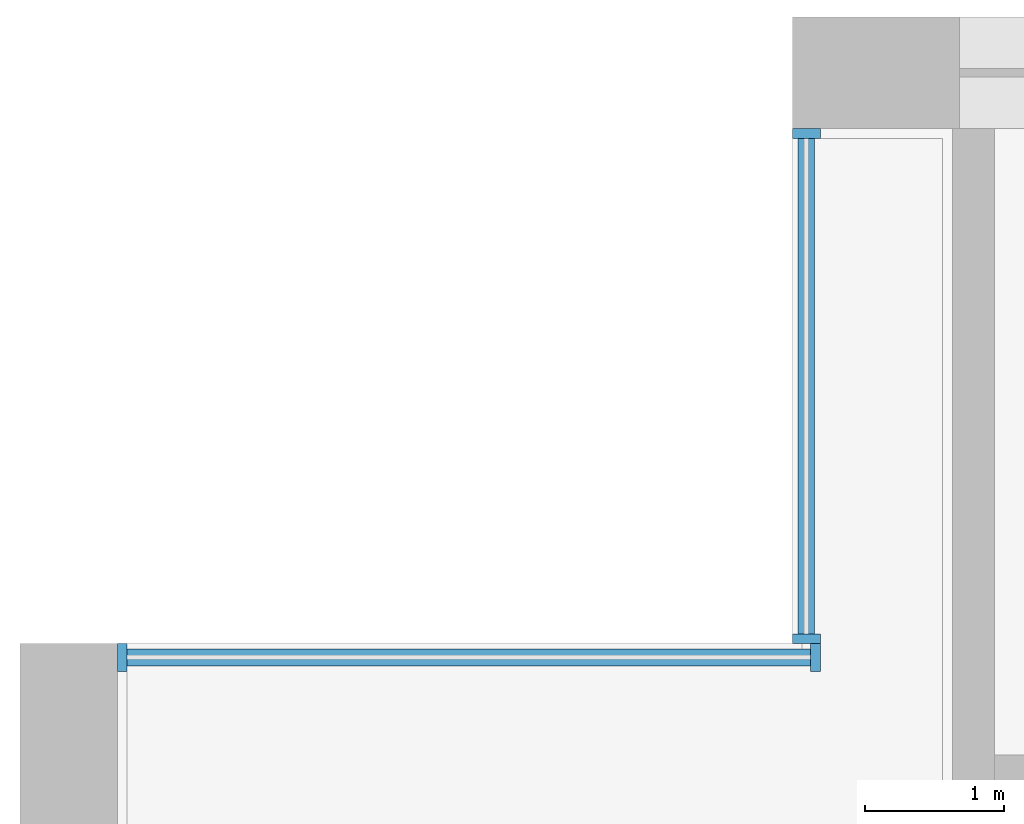
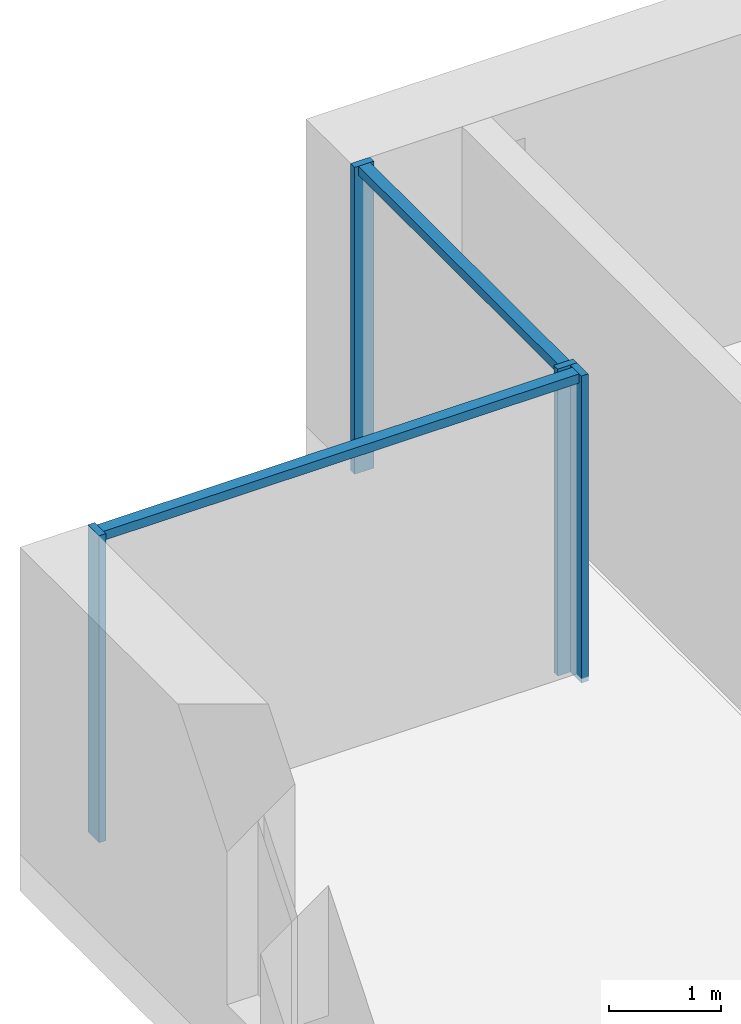
# One storey, part 4 of 15: 6 members, 2 elements without a shape of their own.
"""IFC4 building model written with IfcOpenShell, lengths in metres."""

from ifc_helpers import new_model, si_unit, direction, frame, origin, origin_2d, place, context, subcontext, project, spatial, rectangle, extrude, material, material_profile, profile_set, type_object, element, aggregate, save


model = new_model("IFC4")

# Units and contexts
model_context = context("Model", 3, precision=1e-05, world=origin(), true_north=direction((0.0, 1.0)))
body_context = subcontext(model_context, "Body", "Model", "MODEL_VIEW")
ifc_project = project(units=[si_unit("LENGTHUNIT", "METRE"), si_unit("AREAUNIT", "SQUARE_METRE"), si_unit("VOLUMEUNIT", "CUBIC_METRE"), si_unit("PLANEANGLEUNIT", "RADIAN"), si_unit("MASSUNIT", "GRAM", prefix="KILO")], contexts=[model_context])

# Site, building, storey
site_placement = place(None, origin())
site = spatial("IfcSite", under=ifc_project, at=site_placement, CompositionType="ELEMENT")
building_placement = place(site_placement, origin())
building = spatial("IfcBuilding", under=site, at=building_placement, Name="Calvaro Tower", CompositionType="ELEMENT")
storey_placement = place(building_placement, frame((0.0, 0.0, 132.5)))
storey = spatial("IfcBuildingStorey", under=building, at=storey_placement, Name="L33", CompositionType="ELEMENT", Elevation=132.5)

# Curtain wall, members
ifc_material_1 = material(Name="Anodised aluminium", Category="aluminium")
curtain_wall_type = type_object("IfcCurtainWallType", Name="Office curtain wall, middle zone", PredefinedType="NOTDEFINED", material=ifc_material_1)
curtain_wall_1_placement = place(storey_placement, origin())
curtain_wall_1 = element("IfcCurtainWall", 1, at=curtain_wall_1_placement, inside=storey, type_object=curtain_wall_type, Name="CW2 corner curtain wall", PredefinedType="NOTDEFINED")
ifc_material_2 = material(Name="Anodised aluminium", Category="aluminium")
ifc_material_profile_1 = material_profile(ifc_material_2, rectangle(XDim=0.199951171875, YDim=0.070068359375, at=origin_2d()), Name="Mullion S2 70 x 200")
ifc_profile_set_1 = profile_set([ifc_material_profile_1], Name="Anodised aluminium")
member_type_1 = type_object("IfcMemberType", Name="Mullion S2 70 x 200", PredefinedType="MULLION", material=ifc_profile_set_1)
member_1_placement = place(storey_placement, frame((5.64990234375, 41.534912109375, 0.0), z_axis=(0.0, 0.0, 1.0), x_axis=(-1.0, 0.0, 0.0)))
member_1 = element("IfcMember", 2, at=member_1_placement, type_object=member_type_1, Name="CW2 mullion 1", PredefinedType="MULLION", context=body_context, shape_type="SweptSolid", body=[
    extrude(rectangle(XDim=0.199951171875, YDim=0.070068359375, at=origin_2d()), origin(), (0.0, 0.0, 1.0), 3.35009765625),
])
member_2_placement = place(storey_placement, frame((5.64990234375, 45.1650390625, 0.0), z_axis=(0.0, 0.0, 1.0), x_axis=(-1.0, 0.0, 0.0)))
member_2 = element("IfcMember", 3, at=member_2_placement, type_object=member_type_1, Name="CW2 mullion 2", PredefinedType="MULLION", context=body_context, shape_type="SweptSolid", body=[
    extrude(rectangle(XDim=0.199951171875, YDim=0.070068359375, at=origin_2d()), origin(), (0.0, 0.0, 1.0), 3.35009765625),
])

curtain_wall_2_placement = place(storey_placement, origin())
curtain_wall_2 = element("IfcCurtainWall", 4, at=curtain_wall_2_placement, inside=storey, type_object=curtain_wall_type, Name="CW2 corner curtain wall", PredefinedType="NOTDEFINED")
member_3_placement = place(storey_placement, frame((0.735107421875, 41.39990234375, 0.0), z_axis=(0.0, 0.0, 1.0), x_axis=(0.0, 1.0, 0.0)))
member_3 = element("IfcMember", 5, at=member_3_placement, type_object=member_type_1, Name="CW2 mullion 1", PredefinedType="MULLION", context=body_context, shape_type="SweptSolid", body=[
    extrude(rectangle(XDim=0.199951171875, YDim=0.070068359375, at=origin_2d()), origin(), (0.0, 0.0, 1.0), 3.35009765625),
])
member_4_placement = place(storey_placement, frame((5.715087890625, 41.39990234375, 0.0), z_axis=(0.0, 0.0, 1.0), x_axis=(0.0, 1.0, 0.0)))
member_4 = element("IfcMember", 6, at=member_4_placement, type_object=member_type_1, Name="CW2 mullion 2", PredefinedType="MULLION", context=body_context, shape_type="SweptSolid", body=[
    extrude(rectangle(XDim=0.199951171875, YDim=0.070068359375, at=origin_2d()), origin(), (0.0, 0.0, 1.0), 3.35009765625),
])

# Member
ifc_material_3 = material(Name="Anodised aluminium", Category="aluminium")
ifc_material_profile_2 = material_profile(ifc_material_3, rectangle(XDim=0.1201171875, YDim=0.10009765625, at=origin_2d()), Name="Transom S2 100 x 120")
ifc_profile_set_2 = profile_set([ifc_material_profile_2], Name="Anodised aluminium")
member_type_2 = type_object("IfcMemberType", Name="Transom S2 100 x 120", PredefinedType="USERDEFINED", material=ifc_profile_set_2)
member_5_placement = place(storey_placement, frame((5.64990234375, 41.570068359375, 3.300048828125), z_axis=(0.0, 1.0, 0.0), x_axis=(-1.0, 0.0, 0.0)))
member_5 = element("IfcMember", 7, at=member_5_placement, type_object=member_type_2, Name="CW2 transom 1.1", ObjectType="TRANSOM", PredefinedType="USERDEFINED", context=body_context, shape_type="SweptSolid", body=[
    extrude(rectangle(XDim=0.1201171875, YDim=0.10009765625, at=origin_2d()), origin(), (0.0, 0.0, 1.0), 3.559814453125),
])

aggregate(curtain_wall_1, [member_1, member_2, member_5])

member_6_placement = place(storey_placement, frame((0.77001953125, 41.39990234375, 3.300048828125), z_axis=(1.0, 0.0, 0.0), x_axis=(0.0, 1.0, 0.0)))
member_6 = element("IfcMember", 8, at=member_6_placement, type_object=member_type_2, Name="CW2 transom 1.1", ObjectType="TRANSOM", PredefinedType="USERDEFINED", context=body_context, shape_type="SweptSolid", body=[
    extrude(rectangle(XDim=0.1201171875, YDim=0.10009765625, at=origin_2d()), origin(), (0.0, 0.0, 1.0), 4.909912109375),
])

aggregate(curtain_wall_2, [member_3, member_4, member_6])

save(model, "model.ifc")
